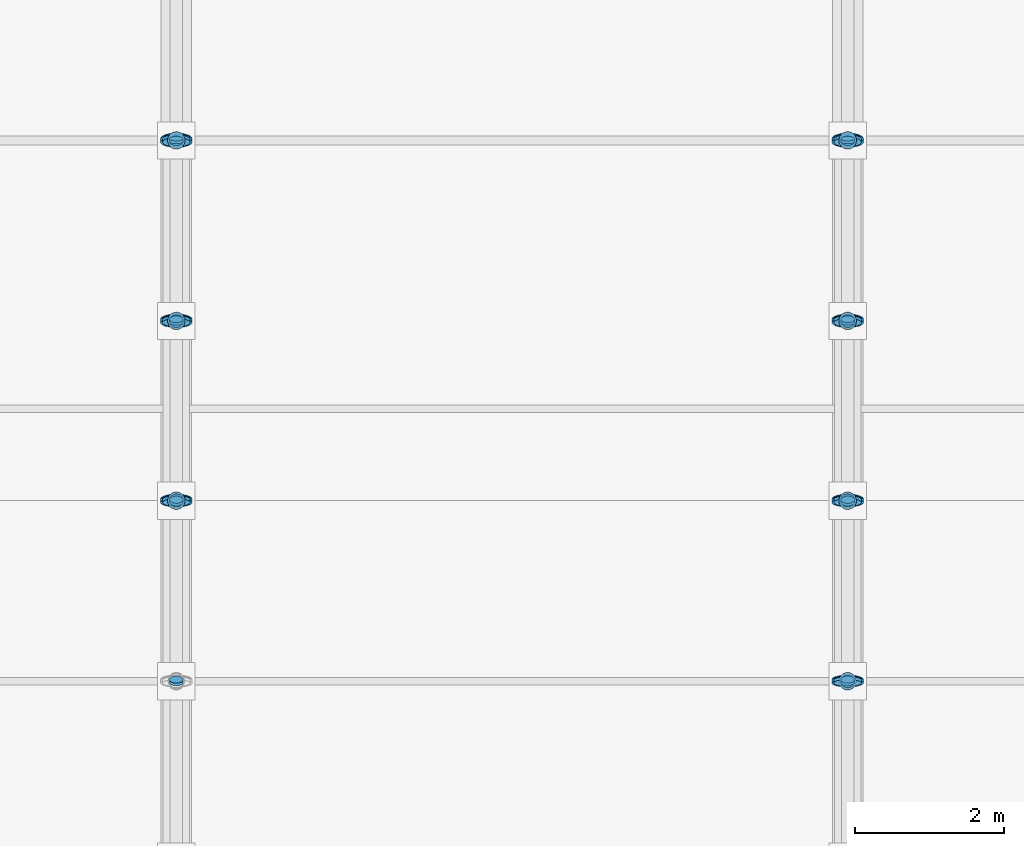
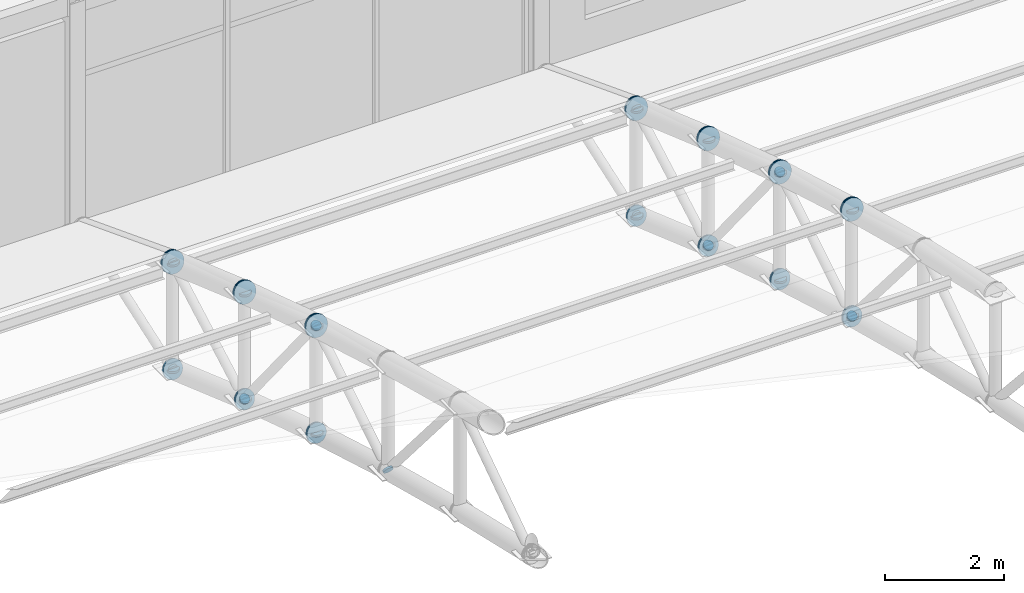
# One storey, part 136 of 195: 55 discrete accessories.
"""IFC4 building model written with IfcOpenShell, lengths in metres."""

from ifc_helpers import new_model, si_unit, direction, frame, origin, origin_2d, place, context, subcontext, project, spatial, circle, extrude, material, element, save


model = new_model("IFC4")

# Units and contexts
model_context = context("Model", 3, precision=1e-05, world=origin(), true_north=direction((0.0, 1.0)))
body_context = subcontext(model_context, "Body", "Model", "MODEL_VIEW")
ifc_project = project(units=[si_unit("LENGTHUNIT", "METRE"), si_unit("AREAUNIT", "SQUARE_METRE"), si_unit("VOLUMEUNIT", "CUBIC_METRE"), si_unit("PLANEANGLEUNIT", "RADIAN"), si_unit("MASSUNIT", "GRAM", prefix="KILO")], contexts=[model_context])

# Site, building, storey
site_placement = place(None, origin())
site = spatial("IfcSite", under=ifc_project, at=site_placement, CompositionType="ELEMENT")
building_placement = place(site_placement, origin())
building = spatial("IfcBuilding", under=site, at=building_placement, Name="Marlcrest Central Station", CompositionType="ELEMENT")
storey_placement = place(building_placement, frame((0.0, 0.0, 9.800048828125)))
storey = spatial("IfcBuildingStorey", under=building, at=storey_placement, Name="L02", CompositionType="ELEMENT", Elevation=9.800048828125)

# Discrete accessories
ifc_material = material(Name="Steel S355", Category="steel")
discrete_accessory_1_placement = place(storey_placement, frame((54.0, 90.64599609375, 3.23046875), z_axis=(0.0, 0.960130083362, -0.27955361386), x_axis=(-1.0, 0.0, 0.0)))
element("IfcDiscreteAccessory", 1, at=discrete_accessory_1_placement, inside=storey, material=ifc_material, Name="endcap-mem-AC-01-L02-00843-e", ObjectType="END_CAP_PLATE", PredefinedType="BRACKET", context=body_context, shape_type="SweptSolid", body=[
    extrude(circle(Radius=0.211181640625, at=origin_2d()), origin(), (0.0, 0.0, 1.0), 0.0400390625),
])
discrete_accessory_2_placement = place(storey_placement, frame((54.0, 90.64599609375, 1.030517578125), z_axis=(0.0, 0.960130083362, -0.27955361386), x_axis=(-1.0, 0.0, 0.0)))
element("IfcDiscreteAccessory", 2, at=discrete_accessory_2_placement, inside=storey, material=ifc_material, Name="endcap-mem-AC-02-L02-00844-e", ObjectType="END_CAP_PLATE", PredefinedType="BRACKET", context=body_context, shape_type="SweptSolid", body=[
    extrude(circle(Radius=0.185791015625, at=origin_2d()), origin(), (0.0, 0.0, 1.0), 0.0400390625),
])
for number, where, z_axis, x_axis, name in (
    (3, (54.0, 88.2373046875, 1.72021484375), (0.0, 0.850687380038, 0.525671933286), (-1.0, 0.0, 0.0), "endcap-mem-AD-01-L02-00846-s"),
    (4, (54.0, 90.648681640625, 3.210205078125), (0.0, 0.850687380038, 0.525671933286), (-1.0, 0.0, 0.0), "endcap-mem-AD-01-L02-00846-e"),
):
    element("IfcDiscreteAccessory", number, at=place(storey_placement, frame(where, z_axis=z_axis, x_axis=x_axis)), inside=storey, material=ifc_material, Name=name, ObjectType="END_CAP_PLATE", PredefinedType="BRACKET", context=body_context, shape_type="SweptSolid", body=[
        extrude(circle(Radius=0.092041015625, at=origin_2d()), origin(), (0.0, 0.0, 1.0), 0.0400390625),
    ])
for number, where, z_axis, x_axis, name in (
    (5, (54.0, 90.65576171875, 3.22802734375), (0.0, 0.952116828449, -0.305734435391), (-1.0, 0.0, 0.0), "endcap-mem-AC-01-L02-00847-s"),
    (6, (54.0, 93.056396484375, 2.45703125), (0.0, 0.952116828449, -0.305734435391), (-1.0, 0.0, 0.0), "endcap-mem-AC-01-L02-00847-e"),
):
    element("IfcDiscreteAccessory", number, at=place(storey_placement, frame(where, z_axis=z_axis, x_axis=x_axis)), inside=storey, material=ifc_material, Name=name, ObjectType="END_CAP_PLATE", PredefinedType="BRACKET", context=body_context, shape_type="SweptSolid", body=[
        extrude(circle(Radius=0.211181640625, at=origin_2d()), origin(), (0.0, 0.0, 1.0), 0.0400390625),
    ])
for number, where, z_axis, x_axis, name in (
    (7, (54.0, 90.65576171875, 1.028076171875), (0.0, 0.952116828449, -0.305734435391), (-1.0, 0.0, 0.0), "endcap-mem-AC-02-L02-00848-s"),
    (8, (54.0, 93.056396484375, 0.257080078125), (0.0, 0.952116828449, -0.305734435391), (-1.0, 0.0, 0.0), "endcap-mem-AC-02-L02-00848-e"),
):
    element("IfcDiscreteAccessory", number, at=place(storey_placement, frame(where, z_axis=z_axis, x_axis=x_axis)), inside=storey, material=ifc_material, Name=name, ObjectType="END_CAP_PLATE", PredefinedType="BRACKET", context=body_context, shape_type="SweptSolid", body=[
        extrude(circle(Radius=0.185791015625, at=origin_2d()), origin(), (0.0, 0.0, 1.0), 0.0400390625),
    ])
for number, where, z_axis, x_axis, name in (
    (9, (54.0, 90.669921875, 1.008544921875), (0.0, 0.0, 1.0), (1.0, 0.0, 0.0), "endcap-mem-AP-01-L02-00849-s"),
    (10, (54.0, 90.669921875, 3.198486328125), (0.0, 0.0, 1.0), (1.0, 0.0, 0.0), "endcap-mem-AP-01-L02-00849-e"),
):
    element("IfcDiscreteAccessory", number, at=place(storey_placement, frame(where, z_axis=z_axis, x_axis=x_axis)), inside=storey, material=ifc_material, Name=name, ObjectType="END_CAP_PLATE", PredefinedType="BRACKET", context=body_context, shape_type="SweptSolid", body=[
        extrude(circle(Radius=0.117431640625, at=origin_2d()), origin(), (0.0, 0.0, 1.0), 0.0400390625),
    ])
for number, where, z_axis, x_axis, name in (
    (11, (54.0, 90.660400390625, 3.235107421875), (0.0, 0.62962929743, -0.776895712318), (-1.0, 0.0, 0.0), "endcap-mem-AD-01-L02-00850-s"),
    (12, (54.0, 93.064453125, 0.26904296875), (0.0, 0.62962929743, -0.776895712318), (-1.0, 0.0, 0.0), "endcap-mem-AD-01-L02-00850-e"),
):
    element("IfcDiscreteAccessory", number, at=place(storey_placement, frame(where, z_axis=z_axis, x_axis=x_axis)), inside=storey, material=ifc_material, Name=name, ObjectType="END_CAP_PLATE", PredefinedType="BRACKET", context=body_context, shape_type="SweptSolid", body=[
        extrude(circle(Radius=0.092041015625, at=origin_2d()), origin(), (0.0, 0.0, 1.0), 0.0400390625),
    ])
for number, where, z_axis, x_axis, name in (
    (13, (54.0, 93.06591796875, 2.454345703125), (0.0, 0.94353735649, -0.331266142109), (-1.0, 0.0, 0.0), "endcap-mem-AC-01-L02-00851-s"),
    (14, (54.0, 95.476318359375, 1.608154296875), (0.0, 0.94353735649, -0.331266142109), (-1.0, 0.0, 0.0), "endcap-mem-AC-01-L02-00851-e"),
):
    element("IfcDiscreteAccessory", number, at=place(storey_placement, frame(where, z_axis=z_axis, x_axis=x_axis)), inside=storey, material=ifc_material, Name=name, ObjectType="END_CAP_PLATE", PredefinedType="BRACKET", context=body_context, shape_type="SweptSolid", body=[
        extrude(circle(Radius=0.211181640625, at=origin_2d()), origin(), (0.0, 0.0, 1.0), 0.0400390625),
    ])
for number, where, z_axis, x_axis, name in (
    (15, (54.0, 93.06591796875, 0.25439453125), (0.0, 0.94353735649, -0.331266142109), (-1.0, 0.0, 0.0), "endcap-mem-AC-02-L02-00852-s"),
    (16, (54.0, 95.476318359375, -0.591796875), (0.0, 0.94353735649, -0.331266142109), (-1.0, 0.0, 0.0), "endcap-mem-AC-02-L02-00852-e"),
):
    element("IfcDiscreteAccessory", number, at=place(storey_placement, frame(where, z_axis=z_axis, x_axis=x_axis)), inside=storey, material=ifc_material, Name=name, ObjectType="END_CAP_PLATE", PredefinedType="BRACKET", context=body_context, shape_type="SweptSolid", body=[
        extrude(circle(Radius=0.185791015625, at=origin_2d()), origin(), (0.0, 0.0, 1.0), 0.0400390625),
    ])
for number, where, z_axis, x_axis, name in (
    (17, (54.0, 93.080078125, 0.234619140625), (0.0, 0.0, 1.0), (1.0, 0.0, 0.0), "endcap-mem-AP-01-L02-00853-s"),
    (18, (54.0, 93.080078125, 2.424560546875), (0.0, 0.0, 1.0), (1.0, 0.0, 0.0), "endcap-mem-AP-01-L02-00853-e"),
):
    element("IfcDiscreteAccessory", number, at=place(storey_placement, frame(where, z_axis=z_axis, x_axis=x_axis)), inside=storey, material=ifc_material, Name=name, ObjectType="END_CAP_PLATE", PredefinedType="BRACKET", context=body_context, shape_type="SweptSolid", body=[
        extrude(circle(Radius=0.117431640625, at=origin_2d()), origin(), (0.0, 0.0, 1.0), 0.0400390625),
    ])
for number, where, z_axis, x_axis, name in (
    (19, (54.0, 93.06689453125, 0.2421875), (0.0, 0.873245653167, 0.487280236851), (-1.0, 0.0, 0.0), "endcap-mem-AD-01-L02-00854-s"),
    (20, (54.0, 95.478271484375, 1.587646484375), (0.0, 0.873245653167, 0.487280236851), (-1.0, 0.0, 0.0), "endcap-mem-AD-01-L02-00854-e"),
):
    element("IfcDiscreteAccessory", number, at=place(storey_placement, frame(where, z_axis=z_axis, x_axis=x_axis)), inside=storey, material=ifc_material, Name=name, ObjectType="END_CAP_PLATE", PredefinedType="BRACKET", context=body_context, shape_type="SweptSolid", body=[
        extrude(circle(Radius=0.092041015625, at=origin_2d()), origin(), (0.0, 0.0, 1.0), 0.0400390625),
    ])
discrete_accessory_3_placement = place(storey_placement, frame((54.0, 95.486083984375, 1.605224609375), z_axis=(0.0, 0.933324071143, -0.359035065453), x_axis=(-1.0, 0.0, 0.0)))
element("IfcDiscreteAccessory", 21, at=discrete_accessory_3_placement, inside=storey, material=ifc_material, Name="endcap-mem-AC-01-L02-00855-s", ObjectType="END_CAP_PLATE", PredefinedType="BRACKET", context=body_context, shape_type="SweptSolid", body=[
    extrude(circle(Radius=0.211181640625, at=origin_2d()), origin(), (0.0, 0.0, 1.0), 0.0400390625),
])
for number, where, z_axis, x_axis, name in (
    (22, (54.0, 95.5, -0.614990234375), (0.0, 0.0, 1.0), (1.0, 0.0, 0.0), "endcap-mem-AP-01-L02-00856-s"),
    (23, (54.0, 95.5, 1.574951171875), (0.0, 0.0, 1.0), (1.0, 0.0, 0.0), "endcap-mem-AP-01-L02-00856-e"),
):
    element("IfcDiscreteAccessory", number, at=place(storey_placement, frame(where, z_axis=z_axis, x_axis=x_axis)), inside=storey, material=ifc_material, Name=name, ObjectType="END_CAP_PLATE", PredefinedType="BRACKET", context=body_context, shape_type="SweptSolid", body=[
        extrude(circle(Radius=0.117431640625, at=origin_2d()), origin(), (0.0, 0.0, 1.0), 0.0400390625),
    ])
discrete_accessory_4_placement = place(storey_placement, frame((54.0, 95.48583984375, -0.60498046875), z_axis=(0.0, 0.944260188635, 0.329200085296), x_axis=(-1.0, 0.0, 0.0)))
element("IfcDiscreteAccessory", 24, at=discrete_accessory_4_placement, inside=storey, material=ifc_material, Name="endcap-mem-AD-01-L02-00857-s", ObjectType="END_CAP_PLATE", PredefinedType="BRACKET", context=body_context, shape_type="SweptSolid", body=[
    extrude(circle(Radius=0.092041015625, at=origin_2d()), origin(), (0.0, 0.0, 1.0), 0.0400390625),
])
discrete_accessory_5_placement = place(storey_placement, frame((63.0, 88.225830078125, 3.934326171875), z_axis=(0.0, 0.967539481681, -0.252719906989), x_axis=(-1.0, 0.0, 0.0)))
element("IfcDiscreteAccessory", 25, at=discrete_accessory_5_placement, inside=storey, material=ifc_material, Name="endcap-mem-AC-01-L02-00955-e", ObjectType="END_CAP_PLATE", PredefinedType="BRACKET", context=body_context, shape_type="SweptSolid", body=[
    extrude(circle(Radius=0.211181640625, at=origin_2d()), origin(), (0.0, 0.0, 1.0), 0.0400390625),
])
discrete_accessory_6_placement = place(storey_placement, frame((63.0, 88.225830078125, 1.734375), z_axis=(0.0, 0.967563345928, -0.252628524946), x_axis=(-1.0, 0.0, 0.0)))
element("IfcDiscreteAccessory", 26, at=discrete_accessory_6_placement, inside=storey, material=ifc_material, Name="endcap-mem-AC-02-L02-00956-e", ObjectType="END_CAP_PLATE", PredefinedType="BRACKET", context=body_context, shape_type="SweptSolid", body=[
    extrude(circle(Radius=0.185791015625, at=origin_2d()), origin(), (0.0, 0.0, 1.0), 0.0400390625),
])
discrete_accessory_7_placement = place(storey_placement, frame((63.0, 88.233642578125, 1.7470703125), z_axis=(0.0, 0.649624779144, -0.760254987699), x_axis=(-1.0, 0.0, 0.0)))
element("IfcDiscreteAccessory", 27, at=discrete_accessory_7_placement, inside=storey, material=ifc_material, Name="endcap-mem-AD-01-L02-00958-e", ObjectType="END_CAP_PLATE", PredefinedType="BRACKET", context=body_context, shape_type="SweptSolid", body=[
    extrude(circle(Radius=0.092041015625, at=origin_2d()), origin(), (0.0, 0.0, 1.0), 0.0400390625),
])
for number, where, z_axis, x_axis, name in (
    (28, (63.0, 88.235595703125, 3.93212890625), (0.0, 0.960130083362, -0.27955361386), (-1.0, 0.0, 0.0), "endcap-mem-AC-01-L02-00959-s"),
    (29, (63.0, 90.64599609375, 3.23046875), (0.0, 0.960130083362, -0.27955361386), (-1.0, 0.0, 0.0), "endcap-mem-AC-01-L02-00959-e"),
):
    element("IfcDiscreteAccessory", number, at=place(storey_placement, frame(where, z_axis=z_axis, x_axis=x_axis)), inside=storey, material=ifc_material, Name=name, ObjectType="END_CAP_PLATE", PredefinedType="BRACKET", context=body_context, shape_type="SweptSolid", body=[
        extrude(circle(Radius=0.211181640625, at=origin_2d()), origin(), (0.0, 0.0, 1.0), 0.0400390625),
    ])
for number, where, z_axis, x_axis, name in (
    (30, (63.0, 88.235595703125, 1.732177734375), (0.0, 0.960130083362, -0.27955361386), (-1.0, 0.0, 0.0), "endcap-mem-AC-02-L02-00960-s"),
    (31, (63.0, 90.64599609375, 1.030517578125), (0.0, 0.960130083362, -0.27955361386), (-1.0, 0.0, 0.0), "endcap-mem-AC-02-L02-00960-e"),
):
    element("IfcDiscreteAccessory", number, at=place(storey_placement, frame(where, z_axis=z_axis, x_axis=x_axis)), inside=storey, material=ifc_material, Name=name, ObjectType="END_CAP_PLATE", PredefinedType="BRACKET", context=body_context, shape_type="SweptSolid", body=[
        extrude(circle(Radius=0.185791015625, at=origin_2d()), origin(), (0.0, 0.0, 1.0), 0.0400390625),
    ])
for number, where, z_axis, x_axis, name in (
    (32, (63.0, 88.25, 1.713134765625), (0.0, 0.0, 1.0), (1.0, 0.0, 0.0), "endcap-mem-AP-01-L02-00961-s"),
    (33, (63.0, 88.25, 3.903076171875), (0.0, 0.0, 1.0), (1.0, 0.0, 0.0), "endcap-mem-AP-01-L02-00961-e"),
):
    element("IfcDiscreteAccessory", number, at=place(storey_placement, frame(where, z_axis=z_axis, x_axis=x_axis)), inside=storey, material=ifc_material, Name=name, ObjectType="END_CAP_PLATE", PredefinedType="BRACKET", context=body_context, shape_type="SweptSolid", body=[
        extrude(circle(Radius=0.117431640625, at=origin_2d()), origin(), (0.0, 0.0, 1.0), 0.0400390625),
    ])
for number, where, z_axis, x_axis, name in (
    (34, (63.0, 88.2373046875, 1.72021484375), (0.0, 0.850687380038, 0.525671933286), (-1.0, 0.0, 0.0), "endcap-mem-AD-01-L02-00962-s"),
    (35, (63.0, 90.648681640625, 3.210205078125), (0.0, 0.850687380038, 0.525671933286), (-1.0, 0.0, 0.0), "endcap-mem-AD-01-L02-00962-e"),
):
    element("IfcDiscreteAccessory", number, at=place(storey_placement, frame(where, z_axis=z_axis, x_axis=x_axis)), inside=storey, material=ifc_material, Name=name, ObjectType="END_CAP_PLATE", PredefinedType="BRACKET", context=body_context, shape_type="SweptSolid", body=[
        extrude(circle(Radius=0.092041015625, at=origin_2d()), origin(), (0.0, 0.0, 1.0), 0.0400390625),
    ])
for number, where, z_axis, x_axis, name in (
    (36, (63.0, 90.65576171875, 3.22802734375), (0.0, 0.952116828449, -0.305734435391), (-1.0, 0.0, 0.0), "endcap-mem-AC-01-L02-00963-s"),
    (37, (63.0, 93.056396484375, 2.45703125), (0.0, 0.952116828449, -0.305734435391), (-1.0, 0.0, 0.0), "endcap-mem-AC-01-L02-00963-e"),
):
    element("IfcDiscreteAccessory", number, at=place(storey_placement, frame(where, z_axis=z_axis, x_axis=x_axis)), inside=storey, material=ifc_material, Name=name, ObjectType="END_CAP_PLATE", PredefinedType="BRACKET", context=body_context, shape_type="SweptSolid", body=[
        extrude(circle(Radius=0.211181640625, at=origin_2d()), origin(), (0.0, 0.0, 1.0), 0.0400390625),
    ])
for number, where, z_axis, x_axis, name in (
    (38, (63.0, 90.65576171875, 1.028076171875), (0.0, 0.952116828449, -0.305734435391), (-1.0, 0.0, 0.0), "endcap-mem-AC-02-L02-00964-s"),
    (39, (63.0, 93.056396484375, 0.257080078125), (0.0, 0.952116828449, -0.305734435391), (-1.0, 0.0, 0.0), "endcap-mem-AC-02-L02-00964-e"),
):
    element("IfcDiscreteAccessory", number, at=place(storey_placement, frame(where, z_axis=z_axis, x_axis=x_axis)), inside=storey, material=ifc_material, Name=name, ObjectType="END_CAP_PLATE", PredefinedType="BRACKET", context=body_context, shape_type="SweptSolid", body=[
        extrude(circle(Radius=0.185791015625, at=origin_2d()), origin(), (0.0, 0.0, 1.0), 0.0400390625),
    ])
for number, where, z_axis, x_axis, name in (
    (40, (63.0, 90.669921875, 1.008544921875), (0.0, 0.0, 1.0), (1.0, 0.0, 0.0), "endcap-mem-AP-01-L02-00965-s"),
    (41, (63.0, 90.669921875, 3.198486328125), (0.0, 0.0, 1.0), (1.0, 0.0, 0.0), "endcap-mem-AP-01-L02-00965-e"),
):
    element("IfcDiscreteAccessory", number, at=place(storey_placement, frame(where, z_axis=z_axis, x_axis=x_axis)), inside=storey, material=ifc_material, Name=name, ObjectType="END_CAP_PLATE", PredefinedType="BRACKET", context=body_context, shape_type="SweptSolid", body=[
        extrude(circle(Radius=0.117431640625, at=origin_2d()), origin(), (0.0, 0.0, 1.0), 0.0400390625),
    ])
for number, where, z_axis, x_axis, name in (
    (42, (63.0, 90.660400390625, 3.235107421875), (0.0, 0.62962929743, -0.776895712318), (-1.0, 0.0, 0.0), "endcap-mem-AD-01-L02-00966-s"),
    (43, (63.0, 93.064453125, 0.26904296875), (0.0, 0.62962929743, -0.776895712318), (-1.0, 0.0, 0.0), "endcap-mem-AD-01-L02-00966-e"),
):
    element("IfcDiscreteAccessory", number, at=place(storey_placement, frame(where, z_axis=z_axis, x_axis=x_axis)), inside=storey, material=ifc_material, Name=name, ObjectType="END_CAP_PLATE", PredefinedType="BRACKET", context=body_context, shape_type="SweptSolid", body=[
        extrude(circle(Radius=0.092041015625, at=origin_2d()), origin(), (0.0, 0.0, 1.0), 0.0400390625),
    ])
for number, where, z_axis, x_axis, name in (
    (44, (63.0, 93.06591796875, 2.454345703125), (0.0, 0.94353735649, -0.331266142109), (-1.0, 0.0, 0.0), "endcap-mem-AC-01-L02-00967-s"),
    (45, (63.0, 95.476318359375, 1.608154296875), (0.0, 0.94353735649, -0.331266142109), (-1.0, 0.0, 0.0), "endcap-mem-AC-01-L02-00967-e"),
):
    element("IfcDiscreteAccessory", number, at=place(storey_placement, frame(where, z_axis=z_axis, x_axis=x_axis)), inside=storey, material=ifc_material, Name=name, ObjectType="END_CAP_PLATE", PredefinedType="BRACKET", context=body_context, shape_type="SweptSolid", body=[
        extrude(circle(Radius=0.211181640625, at=origin_2d()), origin(), (0.0, 0.0, 1.0), 0.0400390625),
    ])
for number, where, z_axis, x_axis, name in (
    (46, (63.0, 93.06591796875, 0.25439453125), (0.0, 0.94353735649, -0.331266142109), (-1.0, 0.0, 0.0), "endcap-mem-AC-02-L02-00968-s"),
    (47, (63.0, 95.476318359375, -0.591796875), (0.0, 0.94353735649, -0.331266142109), (-1.0, 0.0, 0.0), "endcap-mem-AC-02-L02-00968-e"),
):
    element("IfcDiscreteAccessory", number, at=place(storey_placement, frame(where, z_axis=z_axis, x_axis=x_axis)), inside=storey, material=ifc_material, Name=name, ObjectType="END_CAP_PLATE", PredefinedType="BRACKET", context=body_context, shape_type="SweptSolid", body=[
        extrude(circle(Radius=0.185791015625, at=origin_2d()), origin(), (0.0, 0.0, 1.0), 0.0400390625),
    ])
for number, where, z_axis, x_axis, name in (
    (48, (63.0, 93.080078125, 0.234619140625), (0.0, 0.0, 1.0), (1.0, 0.0, 0.0), "endcap-mem-AP-01-L02-00969-s"),
    (49, (63.0, 93.080078125, 2.424560546875), (0.0, 0.0, 1.0), (1.0, 0.0, 0.0), "endcap-mem-AP-01-L02-00969-e"),
):
    element("IfcDiscreteAccessory", number, at=place(storey_placement, frame(where, z_axis=z_axis, x_axis=x_axis)), inside=storey, material=ifc_material, Name=name, ObjectType="END_CAP_PLATE", PredefinedType="BRACKET", context=body_context, shape_type="SweptSolid", body=[
        extrude(circle(Radius=0.117431640625, at=origin_2d()), origin(), (0.0, 0.0, 1.0), 0.0400390625),
    ])
for number, where, z_axis, x_axis, name in (
    (50, (63.0, 93.06689453125, 0.2421875), (0.0, 0.873245653167, 0.487280236851), (-1.0, 0.0, 0.0), "endcap-mem-AD-01-L02-00970-s"),
    (51, (63.0, 95.478271484375, 1.587646484375), (0.0, 0.873245653167, 0.487280236851), (-1.0, 0.0, 0.0), "endcap-mem-AD-01-L02-00970-e"),
):
    element("IfcDiscreteAccessory", number, at=place(storey_placement, frame(where, z_axis=z_axis, x_axis=x_axis)), inside=storey, material=ifc_material, Name=name, ObjectType="END_CAP_PLATE", PredefinedType="BRACKET", context=body_context, shape_type="SweptSolid", body=[
        extrude(circle(Radius=0.092041015625, at=origin_2d()), origin(), (0.0, 0.0, 1.0), 0.0400390625),
    ])
discrete_accessory_8_placement = place(storey_placement, frame((63.0, 95.486083984375, 1.605224609375), z_axis=(0.0, 0.933324071143, -0.359035065453), x_axis=(-1.0, 0.0, 0.0)))
element("IfcDiscreteAccessory", 52, at=discrete_accessory_8_placement, inside=storey, material=ifc_material, Name="endcap-mem-AC-01-L02-00971-s", ObjectType="END_CAP_PLATE", PredefinedType="BRACKET", context=body_context, shape_type="SweptSolid", body=[
    extrude(circle(Radius=0.211181640625, at=origin_2d()), origin(), (0.0, 0.0, 1.0), 0.0400390625),
])
for number, where, z_axis, x_axis, name in (
    (53, (63.0, 95.5, -0.614990234375), (0.0, 0.0, 1.0), (1.0, 0.0, 0.0), "endcap-mem-AP-01-L02-00972-s"),
    (54, (63.0, 95.5, 1.574951171875), (0.0, 0.0, 1.0), (1.0, 0.0, 0.0), "endcap-mem-AP-01-L02-00972-e"),
):
    element("IfcDiscreteAccessory", number, at=place(storey_placement, frame(where, z_axis=z_axis, x_axis=x_axis)), inside=storey, material=ifc_material, Name=name, ObjectType="END_CAP_PLATE", PredefinedType="BRACKET", context=body_context, shape_type="SweptSolid", body=[
        extrude(circle(Radius=0.117431640625, at=origin_2d()), origin(), (0.0, 0.0, 1.0), 0.0400390625),
    ])
discrete_accessory_9_placement = place(storey_placement, frame((63.0, 95.48583984375, -0.60498046875), z_axis=(0.0, 0.944260188635, 0.329200085296), x_axis=(-1.0, 0.0, 0.0)))
element("IfcDiscreteAccessory", 55, at=discrete_accessory_9_placement, inside=storey, material=ifc_material, Name="endcap-mem-AD-01-L02-00973-s", ObjectType="END_CAP_PLATE", PredefinedType="BRACKET", context=body_context, shape_type="SweptSolid", body=[
    extrude(circle(Radius=0.092041015625, at=origin_2d()), origin(), (0.0, 0.0, 1.0), 0.0400390625),
])

save(model, "model.ifc")
